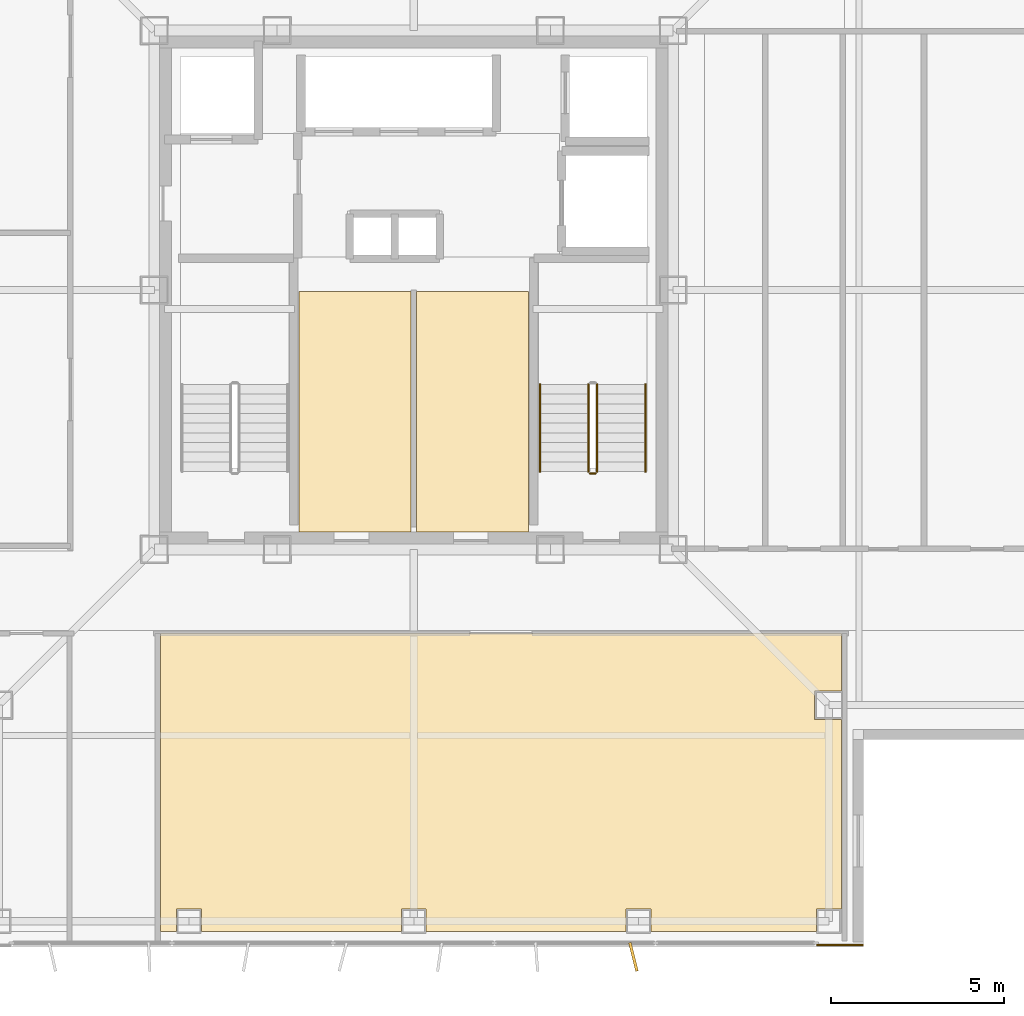
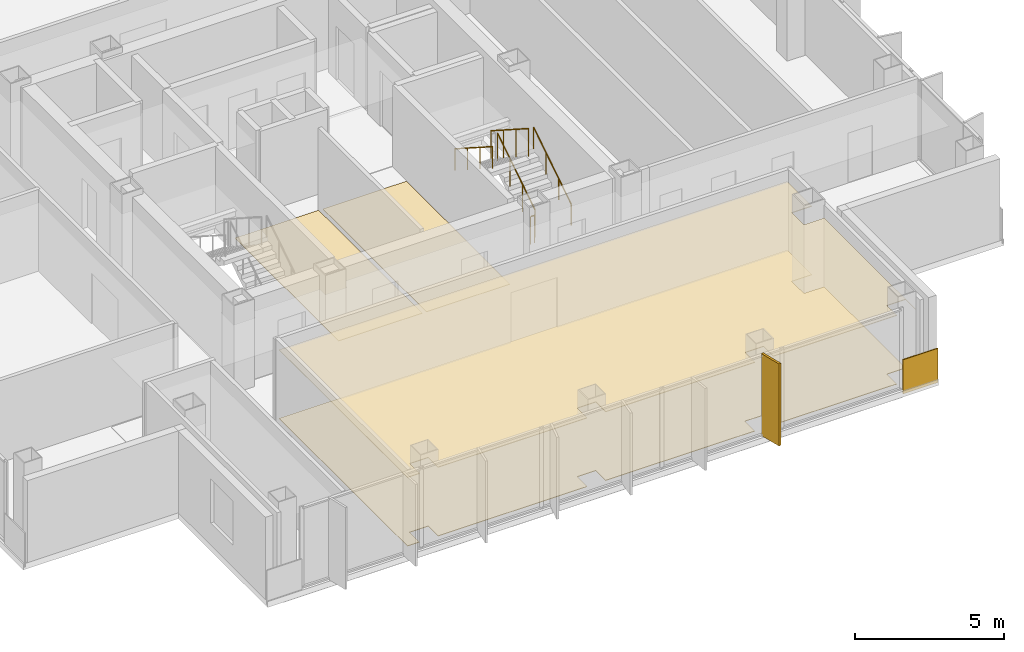
# One storey, part 11 of 15: 5 coverings, 5 railings, 1 shading device.
"""IFC4 building model written with IfcOpenShell, lengths in metres."""

from ifc_helpers import new_model, si_unit, direction, frame, frame_2d, origin, origin_2d, place, context, subcontext, project, spatial, polyline, rectangle, circle, outline, extrude, material, layer, layer_set, type_object, element, save


model = new_model("IFC4")

# Units and contexts
model_context = context("Model", 3, precision=1e-05, world=origin(), true_north=direction((0.0, 1.0)))
body_context = subcontext(model_context, "Body", "Model", "MODEL_VIEW")
ifc_project = project(units=[si_unit("LENGTHUNIT", "METRE"), si_unit("AREAUNIT", "SQUARE_METRE"), si_unit("VOLUMEUNIT", "CUBIC_METRE"), si_unit("PLANEANGLEUNIT", "RADIAN"), si_unit("MASSUNIT", "GRAM", prefix="KILO")], contexts=[model_context])

# Site, building, storey
site_placement = place(None, origin())
site = spatial("IfcSite", under=ifc_project, at=site_placement, CompositionType="ELEMENT")
building_placement = place(site_placement, origin())
building = spatial("IfcBuilding", under=site, at=building_placement, Name="Trevonay Congress Spire", CompositionType="ELEMENT")
storey_placement = place(building_placement, frame((0.0, 0.0, 261.199951171875)))
storey = spatial("IfcBuildingStorey", under=building, at=storey_placement, Name="L68", CompositionType="ELEMENT", Elevation=261.199951171875)

# Coverings
ifc_material_1 = material(Name="Acoustic Mineral Fibre Board", Category="gypsum")
ifc_layer_1 = layer(ifc_material_1, 0.02490234375, Name="Acoustic Mineral Fibre Board")
ifc_layer_set_1 = layer_set([ifc_layer_1], Name="Acoustic Mineral Fibre Board")
covering_type_1 = type_object("IfcCoveringType", Name="COV-CEIL-ACOUSTIC", PredefinedType="CEILING", material=ifc_layer_set_1)
covering_1_placement = place(storey_placement, frame((0.0, 0.0, 2.81005859375)))
element("IfcCovering", 1, at=covering_1_placement, inside=storey, type_object=covering_type_1, Name="L68 State Panoramic Fine-Dining Restaurant acoustic suspended ceiling", PredefinedType="CEILING", context=body_context, shape_type="SweptSolid", body=[
    extrude(outline(polyline([(-7.320068359375, -18.550048828125), (-7.320068359375, -9.929931640625), (12.3701171875, -9.929931640625), (12.3701171875, -11.590087890625), (11.590087890625, -11.590087890625), (11.590087890625, -12.409912109375), (12.3701171875, -12.409912109375), (12.3701171875, -18.550048828125), (12.360107421875, -18.550048828125), (12.360107421875, -17.889892578125), (11.639892578125, -17.889892578125), (11.639892578125, -18.550048828125), (6.860107421875, -18.550048828125), (6.860107421875, -17.889892578125), (6.139892578125, -17.889892578125), (6.139892578125, -18.550048828125), (0.360107421875, -18.550048828125), (0.360107421875, -17.889892578125), (-0.360107421875, -17.889892578125), (-0.360107421875, -18.550048828125), (-6.139892578125, -18.550048828125), (-6.139892578125, -17.889892578125), (-6.860107421875, -17.889892578125), (-6.860107421875, -18.550048828125), (-7.320068359375, -18.550048828125)])), origin(), (0.0, 0.0, 1.0), 0.02490234375),
])
ifc_material_2 = material(Name="Polished Granite Floor Tile", Category="masonry")
ifc_layer_2 = layer(ifc_material_2, 0.02001953125, Name="Polished Granite Floor Tile")
ifc_layer_set_2 = layer_set([ifc_layer_2], Name="Polished Granite Floor Tile")
covering_type_2 = type_object("IfcCoveringType", Name="COV-FLOOR-STONE", PredefinedType="FLOORING", material=ifc_layer_set_2)
covering_2_placement = place(storey_placement, origin())
element("IfcCovering", 2, at=covering_2_placement, inside=storey, type_object=covering_type_2, Name="L68 Core Server and IT Hub floor finish", PredefinedType="FLOORING", context=body_context, shape_type="SweptSolid", body=[
    extrude(outline(polyline([(-3.320068359375, -7.0), (-0.080078125, -7.0), (-0.080078125, -0.050048828125), (-3.320068359375, -0.050048828125), (-3.320068359375, -7.0)])), origin(), (0.0, 0.0, 1.0), 0.02001953125),
])
covering_3_placement = place(storey_placement, origin())
element("IfcCovering", 3, at=covering_3_placement, inside=storey, type_object=covering_type_2, Name="L68 Core Document Archive Room floor finish", PredefinedType="FLOORING", context=body_context, shape_type="SweptSolid", body=[
    extrude(outline(polyline([(0.080078125, -7.0), (3.320068359375, -7.0), (3.320068359375, -0.050048828125), (0.080078125, -0.050048828125), (0.080078125, -7.0)])), origin(), (0.0, 0.0, 1.0), 0.02001953125),
])
covering_4_placement = place(storey_placement, origin())
element("IfcCovering", 4, at=covering_4_placement, inside=storey, type_object=covering_type_2, Name="L68 State Panoramic Fine-Dining Restaurant floor finish", PredefinedType="FLOORING", context=body_context, shape_type="SweptSolid", body=[
    extrude(outline(polyline([(-7.320068359375, -18.550048828125), (-7.320068359375, -9.929931640625), (12.3701171875, -9.929931640625), (12.3701171875, -11.590087890625), (11.590087890625, -11.590087890625), (11.590087890625, -12.409912109375), (12.3701171875, -12.409912109375), (12.3701171875, -18.550048828125), (12.360107421875, -18.550048828125), (12.360107421875, -17.889892578125), (11.639892578125, -17.889892578125), (11.639892578125, -18.550048828125), (6.860107421875, -18.550048828125), (6.860107421875, -17.889892578125), (6.139892578125, -17.889892578125), (6.139892578125, -18.550048828125), (0.360107421875, -18.550048828125), (0.360107421875, -17.889892578125), (-0.360107421875, -17.889892578125), (-0.360107421875, -18.550048828125), (-6.139892578125, -18.550048828125), (-6.139892578125, -17.889892578125), (-6.860107421875, -17.889892578125), (-6.860107421875, -18.550048828125), (-7.320068359375, -18.550048828125)])), origin(), (0.0, 0.0, 1.0), 0.02001953125),
])
ifc_material_3 = material(Name="Pale Anodised Aluminium EN AW-6063-T6", Category="aluminium")
ifc_layer_3 = layer(ifc_material_3, 0.0400390625, Name="Pale Anodised Aluminium EN AW-6063-T6")
ifc_layer_set_3 = layer_set([ifc_layer_3], Name="Pale Anodised Aluminium EN AW-6063-T6")
covering_type_3 = type_object("IfcCoveringType", Name="COV-SPANDREL-PALE-METAL", PredefinedType="CLADDING", material=ifc_layer_set_3)
covering_5_placement = place(storey_placement, frame((11.64990234375, -18.93994140625, -0.14990234375), z_axis=(0.0, 0.0, 1.0), x_axis=(1.0, 0.0, 0.0)))
element("IfcCovering", 5, at=covering_5_placement, inside=storey, type_object=covering_type_3, Name="L68 SE corner pier spandrel cladding 2", PredefinedType="CLADDING", context=body_context, shape_type="SweptSolid", body=[
    extrude(rectangle(XDim=1.35009765625, YDim=0.0400390625, at=frame_2d((0.675048828125, 0.0))), origin(), (0.0, 0.0, 1.0), 1.39990234375),
])

# Railings
railing_type_1 = type_object("IfcRailingType", Name="RAL-STAIR-GUARD-110", PredefinedType="GUARDRAIL", material=ifc_material_3)
railing_1_placement = place(storey_placement, frame((5.300048828125, -5.25, 0.179931640625)))
element("IfcRailing", 6, at=railing_1_placement, inside=storey, type_object=railing_type_1, Name="L68 ST-2 stair guard 1", PredefinedType="GUARDRAIL", context=body_context, shape_type="SweptSolid", body=[
    extrude(circle(Radius=0.02392578125, at=origin_2d()), frame((0.0, 0.0, 1.1259765625), z_axis=(0.0, 0.841162588446, 0.540782303519), x_axis=(-1.0, 0.0, 0.0)), (0.0, 0.0, 1.0), 2.995849609375),
    extrude(circle(Radius=0.02099609375, at=origin_2d()), origin(), (0.0, 0.0, 1.0), 1.101806640625),
    extrude(circle(Radius=0.02099609375, at=origin_2d()), frame((0.0, 0.840087890625, 0.5400390625)), (0.0, 0.0, 1.0), 1.101806640625),
    extrude(circle(Radius=0.02099609375, at=origin_2d()), frame((0.0, 1.679931640625, 1.080078125)), (0.0, 0.0, 1.0), 1.101806640625),
    extrude(circle(Radius=0.02099609375, at=origin_2d()), frame((0.0, 2.52001953125, 1.6201171875)), (0.0, 0.0, 1.0), 1.101806640625),
])
railing_2_placement = place(storey_placement, frame((5.050048828125, -2.72998046875, 1.97998046875)))
element("IfcRailing", 7, at=railing_2_placement, inside=storey, type_object=railing_type_1, Name="L68 ST-2 stair guard 3", PredefinedType="GUARDRAIL", context=body_context, shape_type="SweptSolid", body=[
    extrude(circle(Radius=0.02392578125, at=origin_2d()), frame((0.0, 0.0, 1.1259765625), z_axis=(0.0, -0.841162588446, 0.540782303519), x_axis=(1.0, 0.0, 0.0)), (0.0, 0.0, 1.0), 2.995849609375),
    extrude(circle(Radius=0.02099609375, at=origin_2d()), origin(), (0.0, 0.0, 1.0), 1.101806640625),
    extrude(circle(Radius=0.02099609375, at=origin_2d()), frame((0.0, -0.840087890625, 0.5400390625)), (0.0, 0.0, 1.0), 1.101806640625),
    extrude(circle(Radius=0.02099609375, at=origin_2d()), frame((0.0, -1.679931640625, 1.080078125)), (0.0, 0.0, 1.0), 1.101806640625),
    extrude(circle(Radius=0.02099609375, at=origin_2d()), frame((0.0, -2.52001953125, 1.6201171875)), (0.0, 0.0, 1.0), 1.101806640625),
])
railing_3_placement = place(storey_placement, frame((5.25, -5.300048828125, 0.0)))
element("IfcRailing", 8, at=railing_3_placement, inside=storey, type_object=railing_type_1, Name="L68 ST-2 stair guard 4", PredefinedType="GUARDRAIL", context=body_context, shape_type="SweptSolid", body=[
    extrude(circle(Radius=0.02392578125, at=origin_2d()), frame((0.0, 0.0, 1.1259765625), z_axis=(-1.0, 0.0, 0.0), x_axis=(0.0, -1.0, 0.0)), (0.0, 0.0, 1.0), 0.14990234375),
    extrude(circle(Radius=0.02099609375, at=origin_2d()), origin(), (0.0, 0.0, 1.0), 1.101806640625),
    extrude(circle(Radius=0.02099609375, at=origin_2d()), frame((-0.14990234375, 0.0, 0.0)), (0.0, 0.0, 1.0), 1.101806640625),
])
railing_type_2 = type_object("IfcRailingType", Name="RAL-STAIR-HANDRAIL", PredefinedType="HANDRAIL", material=ifc_material_3)
railing_4_placement = place(storey_placement, frame((6.699951171875, -5.25, 0.179931640625)))
element("IfcRailing", 9, at=railing_4_placement, inside=storey, type_object=railing_type_2, Name="L68 ST-2 stair handrail 1", PredefinedType="HANDRAIL", context=body_context, shape_type="SweptSolid", body=[
    extrude(circle(Radius=0.02392578125, at=origin_2d()), frame((0.0, 0.0, 0.8759765625), z_axis=(0.0, 0.841162588446, 0.540782303519), x_axis=(-1.0, 0.0, 0.0)), (0.0, 0.0, 1.0), 2.995849609375),
    extrude(circle(Radius=0.02099609375, at=origin_2d()), origin(), (0.0, 0.0, 1.0), 0.851806640625),
    extrude(circle(Radius=0.02099609375, at=origin_2d()), frame((0.0, 0.840087890625, 0.5400390625)), (0.0, 0.0, 1.0), 0.851806640625),
    extrude(circle(Radius=0.02099609375, at=origin_2d()), frame((0.0, 1.679931640625, 1.080078125)), (0.0, 0.0, 1.0), 0.851806640625),
    extrude(circle(Radius=0.02099609375, at=origin_2d()), frame((0.0, 2.52001953125, 1.6201171875)), (0.0, 0.0, 1.0), 0.851806640625),
])
railing_5_placement = place(storey_placement, frame((3.64990234375, -2.72998046875, 1.97998046875)))
element("IfcRailing", 10, at=railing_5_placement, inside=storey, type_object=railing_type_2, Name="L68 ST-2 stair handrail 2", PredefinedType="HANDRAIL", context=body_context, shape_type="SweptSolid", body=[
    extrude(circle(Radius=0.02392578125, at=origin_2d()), frame((0.0, 0.0, 0.8759765625), z_axis=(0.0, -0.841162588446, 0.540782303519), x_axis=(1.0, 0.0, 0.0)), (0.0, 0.0, 1.0), 2.995849609375),
    extrude(circle(Radius=0.02099609375, at=origin_2d()), origin(), (0.0, 0.0, 1.0), 0.851806640625),
    extrude(circle(Radius=0.02099609375, at=origin_2d()), frame((0.0, -0.840087890625, 0.5400390625)), (0.0, 0.0, 1.0), 0.851806640625),
    extrude(circle(Radius=0.02099609375, at=origin_2d()), frame((0.0, -1.679931640625, 1.080078125)), (0.0, 0.0, 1.0), 0.851806640625),
    extrude(circle(Radius=0.02099609375, at=origin_2d()), frame((0.0, -2.52001953125, 1.6201171875)), (0.0, 0.0, 1.0), 0.851806640625),
])

# Shading device
shading_device_type = type_object("IfcShadingDeviceType", Name="SHD-FIN-Z4-PALE-METAL", PredefinedType="USERDEFINED", material=ifc_material_3)
shading_device_placement = place(storey_placement, frame((6.35009765625, -19.280029296875, 0.0), z_axis=(0.0, 0.0, 1.0), x_axis=(0.970464383152, 0.241244442494, 0.0)))
element("IfcShadingDevice", 11, at=shading_device_placement, inside=storey, type_object=shading_device_type, Name="L68 S vertical pale-metal solar fin 7", ObjectType="SOLAR FIN", PredefinedType="USERDEFINED", context=body_context, shape_type="SweptSolid", body=[
    extrude(rectangle(XDim=0.080078125, YDim=0.85009765625, at=origin_2d()), origin(), (0.0, 0.0, 1.0), 3.360107421875),
])

save(model, "model.ifc")
